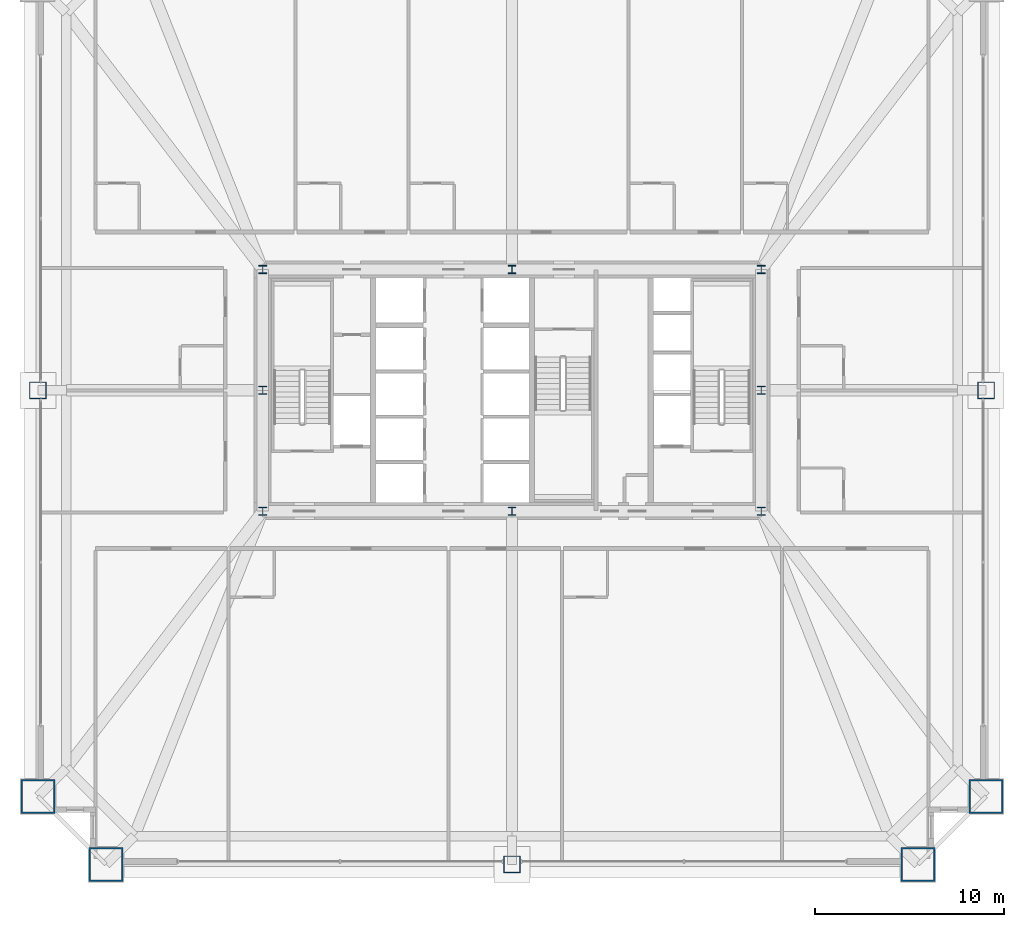
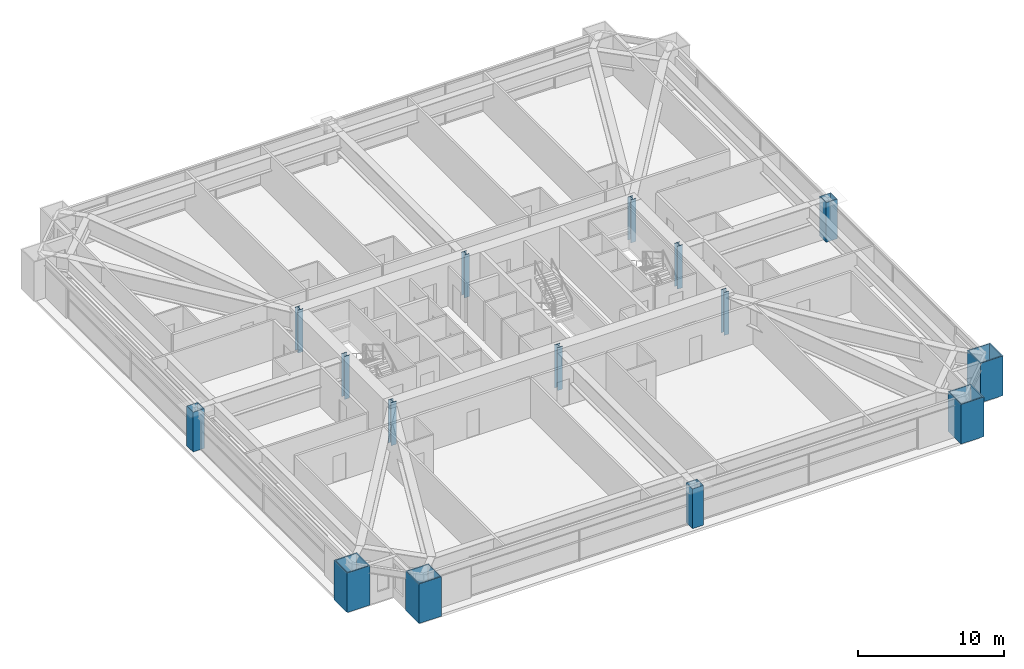
# One storey, part 1 of 44: 15 columns.
"""IFC4 building model written with IfcOpenShell, lengths in metres."""

from ifc_helpers import new_model, si_unit, direction, frame, origin, origin_2d, place, context, subcontext, project, spatial, hollow_rectangle, i_section, extrude, source, transform, mapped, material, material_profile, profile_set, type_object, element, save


model = new_model("IFC4")

# Units and contexts
model_context = context("Model", 3, precision=1e-05, world=origin(), true_north=direction((0.0, 1.0)))
body_context = subcontext(model_context, "Body", "Model", "MODEL_VIEW")
ifc_project = project(units=[si_unit("LENGTHUNIT", "METRE"), si_unit("AREAUNIT", "SQUARE_METRE"), si_unit("VOLUMEUNIT", "CUBIC_METRE"), si_unit("PLANEANGLEUNIT", "RADIAN"), si_unit("MASSUNIT", "GRAM", prefix="KILO"), si_unit("THERMODYNAMICTEMPERATUREUNIT", "KELVIN"), si_unit("POWERUNIT", "WATT")], contexts=[model_context])

# Site, building, storey
site_placement = place(None, origin())
site = spatial("IfcSite", under=ifc_project, at=site_placement, CompositionType="ELEMENT")
building_placement = place(site_placement, origin())
building = spatial("IfcBuilding", under=site, at=building_placement, Name="Yuzanri Waterfront Tower", CompositionType="ELEMENT")
storey_placement = place(building_placement, frame((0.0, 0.0, 82.0)))
storey = spatial("IfcBuildingStorey", under=building, at=storey_placement, Name="L21", CompositionType="ELEMENT", Elevation=82.0)

# Columns
ifc_material_1 = material(Name="Steel Q355B", Category="steel")
ifc_material_profile_1 = material_profile(ifc_material_1, i_section(OverallWidth=0.406982421875, OverallDepth=0.427978515625, WebThickness=0.02001953125, FlangeThickness=0.034912109375, at=origin_2d()), Name="HW 428x407x20x35")
ifc_profile_set_1 = profile_set([ifc_material_profile_1], Name="Steel Q355B")
column_type_1 = type_object("IfcColumnType", Name="Core Post Q355B HW 428x407x20x35", PredefinedType="COLUMN", material=ifc_profile_set_1)
shared_shape_1 = source(origin(), body_context, "Body", "SweptSolid", [
    extrude(i_section(OverallWidth=0.406982421875, OverallDepth=0.427978515625, WebThickness=0.02001953125, FlangeThickness=0.034912109375, at=origin_2d()), origin(), (0.0, 0.0, 1.0), 3.60009765625),
])
for number, where, z_axis, x_axis, name in (
    (1, (23.800048828125, 19.39990234375, 0.0), (0.0, 0.0, 1.0), (1.0, 0.0, 0.0), "L21 Core Boundary Column CP1"),
    (2, (37.0, 19.39990234375, 0.0), (0.0, 0.0, 1.0), (1.0, 0.0, 0.0), "L21 Core Boundary Column CP2"),
    (3, (50.199951171875, 19.39990234375, 0.0), (0.0, 0.0, 1.0), (1.0, 0.0, 0.0), "L21 Core Boundary Column CP3"),
    (4, (23.800048828125, 25.800048828125, 0.0), (0.0, 0.0, 1.0), (1.0, 0.0, 0.0), "L21 Core Boundary Column CP4"),
    (5, (50.199951171875, 25.800048828125, 0.0), (0.0, 0.0, 1.0), (1.0, 0.0, 0.0), "L21 Core Boundary Column CP5"),
    (6, (23.800048828125, 32.199951171875, 0.0), (0.0, 0.0, 1.0), (1.0, 0.0, 0.0), "L21 Core Boundary Column CP6"),
    (7, (37.0, 32.199951171875, 0.0), (0.0, 0.0, 1.0), (1.0, 0.0, 0.0), "L21 Core Boundary Column CP7"),
    (8, (50.199951171875, 32.199951171875, 0.0), (0.0, 0.0, 1.0), (1.0, 0.0, 0.0), "L21 Core Boundary Column CP8"),
):
    element("IfcColumn", number, at=place(storey_placement, frame(where, z_axis=z_axis, x_axis=x_axis)), inside=storey, type_object=column_type_1, Name=name, PredefinedType="COLUMN", context=body_context, shape_type="MappedRepresentation", body=[
        mapped(shared_shape_1, transform((0.0, 0.0, 0.0), scale=1.0)),
    ])
ifc_material_2 = material(Name="Steel Q420GJC", Category="steel")
ifc_material_profile_2 = material_profile(ifc_material_2, hollow_rectangle(XDim=1.800048828125, YDim=1.800048828125, WallThickness=0.080078125, at=origin_2d()), Name="RHS 1800x1800x80")
ifc_profile_set_2 = profile_set([ifc_material_profile_2], Name="Steel Q420GJC")
column_type_2 = type_object("IfcColumnType", Name="Mega Column Q420GJC RHS 1800x1800x80", PredefinedType="COLUMN", material=ifc_profile_set_2)
shared_shape_2 = source(origin(), body_context, "Body", "SweptSolid", [
    extrude(hollow_rectangle(XDim=1.800048828125, YDim=1.800048828125, WallThickness=0.080078125, at=origin_2d()), origin(), (0.0, 0.0, 1.0), 3.320068359375),
])
for number, where, z_axis, x_axis, name in (
    (9, (15.5, 0.699951171875, 0.0), (0.0, 0.0, 1.0), (1.0, 0.0, 0.0), "L21 Perimeter Mega Column S1"),
    (10, (58.5, 0.699951171875, 0.0), (0.0, 0.0, 1.0), (1.0, 0.0, 0.0), "L21 Perimeter Mega Column S3"),
    (11, (11.89990234375, 4.300048828125, 0.0), (0.0, 0.0, 1.0), (1.0, 0.0, 0.0), "L21 Perimeter Mega Column W1"),
    (12, (62.10009765625, 4.300048828125, 0.0), (0.0, 0.0, 1.0), (1.0, 0.0, 0.0), "L21 Perimeter Mega Column E1"),
):
    element("IfcColumn", number, at=place(storey_placement, frame(where, z_axis=z_axis, x_axis=x_axis)), inside=storey, type_object=column_type_2, Name=name, PredefinedType="COLUMN", context=body_context, shape_type="MappedRepresentation", body=[
        mapped(shared_shape_2, transform((0.0, 0.0, 0.0), scale=1.0)),
    ])
ifc_material_3 = material(Name="Steel Q390GJC", Category="steel")
ifc_material_profile_3 = material_profile(ifc_material_3, hollow_rectangle(XDim=0.89990234375, YDim=0.89990234375, WallThickness=0.0419921875, at=origin_2d()), Name="RHS 900x900x42")
ifc_profile_set_3 = profile_set([ifc_material_profile_3], Name="Steel Q390GJC")
column_type_3 = type_object("IfcColumnType", Name="Frame Column Q390GJC RHS 900x900x42", PredefinedType="COLUMN", material=ifc_profile_set_3)
shared_shape_3 = source(origin(), body_context, "Body", "SweptSolid", [
    extrude(hollow_rectangle(XDim=0.89990234375, YDim=0.89990234375, WallThickness=0.0419921875, at=origin_2d()), origin(), (0.0, 0.0, 1.0), 3.320068359375),
])
for number, where, z_axis, x_axis, name in (
    (13, (37.0, 0.699951171875, 0.0), (0.0, 0.0, 1.0), (1.0, 0.0, 0.0), "L21 Perimeter Frame Column S2"),
    (14, (11.89990234375, 25.800048828125, 0.0), (0.0, 0.0, 1.0), (1.0, 0.0, 0.0), "L21 Perimeter Frame Column W2"),
    (15, (62.10009765625, 25.800048828125, 0.0), (0.0, 0.0, 1.0), (1.0, 0.0, 0.0), "L21 Perimeter Frame Column E2"),
):
    element("IfcColumn", number, at=place(storey_placement, frame(where, z_axis=z_axis, x_axis=x_axis)), inside=storey, type_object=column_type_3, Name=name, PredefinedType="COLUMN", context=body_context, shape_type="MappedRepresentation", body=[
        mapped(shared_shape_3, transform((0.0, 0.0, 0.0), scale=1.0)),
    ])

save(model, "model.ifc")
